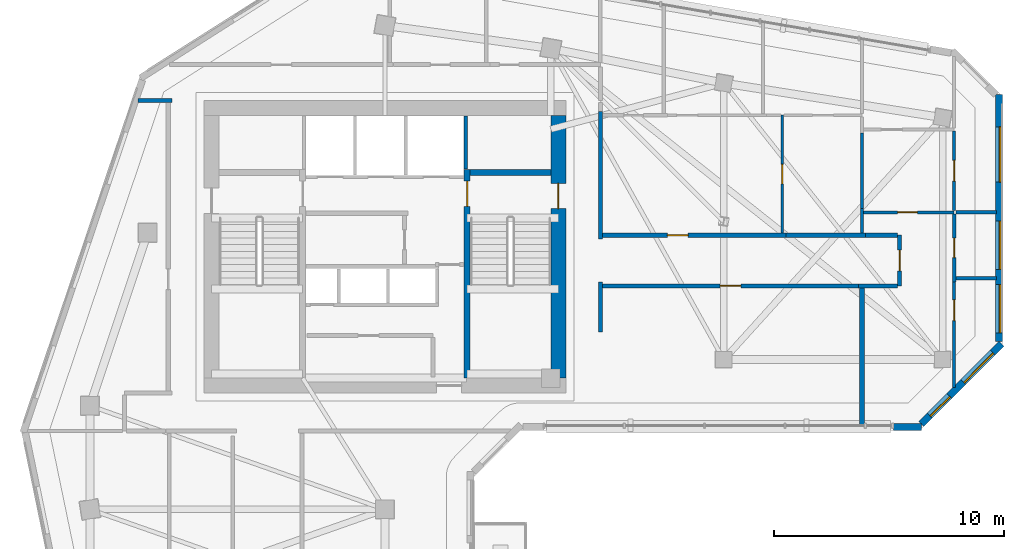
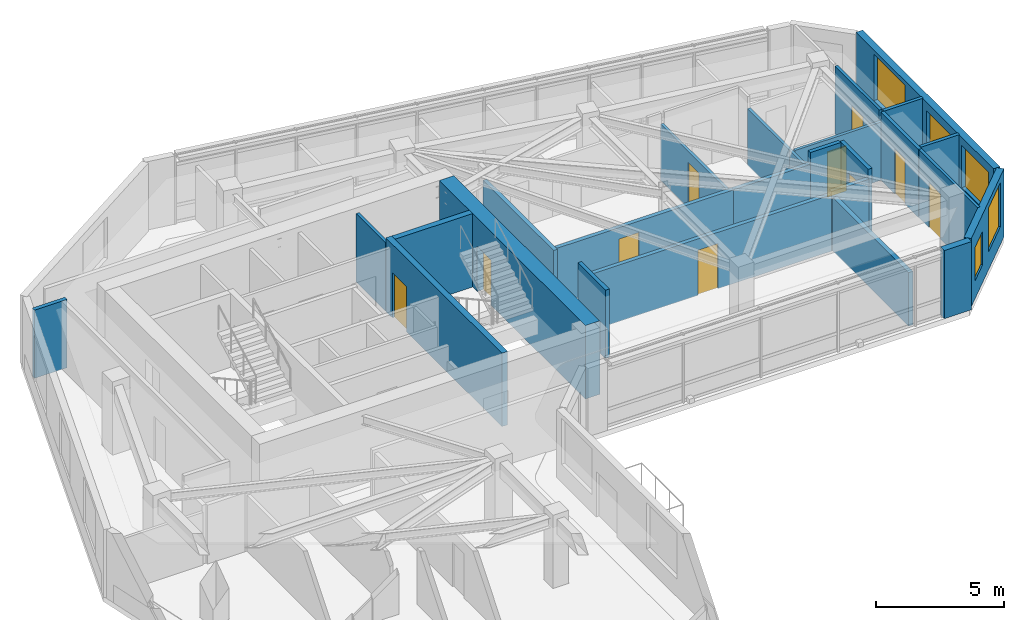
# One storey, part 6 of 10: 26 walls, 10 doors, 5 windows, 15 openings.
"""IFC4 building model written with IfcOpenShell, lengths in metres."""

from ifc_helpers import new_model, si_unit, direction, frame, frame_2d, origin, place, context, subcontext, project, spatial, rectangle, extrude, source, transform, mapped, material, layer, layer_set, type_object, element, fill, save


model = new_model("IFC4")

# Units and contexts
model_context = context("Model", 3, precision=1e-05, world=origin(), true_north=direction((0.0, 1.0)))
body_context = subcontext(model_context, "Body", "Model", "MODEL_VIEW")
ifc_project = project(units=[si_unit("LENGTHUNIT", "METRE"), si_unit("AREAUNIT", "SQUARE_METRE"), si_unit("VOLUMEUNIT", "CUBIC_METRE"), si_unit("PLANEANGLEUNIT", "RADIAN"), si_unit("MASSUNIT", "GRAM", prefix="KILO")], contexts=[model_context])

# Site, building, storey
site_placement = place(None, origin())
site = spatial("IfcSite", under=ifc_project, at=site_placement, CompositionType="ELEMENT")
building_placement = place(site_placement, origin())
building = spatial("IfcBuilding", under=site, at=building_placement, Name="Calvemar Wedge Station Tower", CompositionType="ELEMENT")
storey_placement = place(building_placement, frame((0.0, 0.0, 193.89990234375)))
storey = spatial("IfcBuildingStorey", under=building, at=storey_placement, Name="L48", CompositionType="ELEMENT", Elevation=193.89990234375)

# Wall, opening, door
ifc_material_1 = material(Name="Concrete C50", Category="concrete")
ifc_layer_1 = layer(ifc_material_1, 0.260009765625)
ifc_layer_set_1 = layer_set([ifc_layer_1], Name="Concrete C50")
wall_type_1 = type_object("IfcWallType", Name="SW-CORE-260", PredefinedType="SHEAR", material=ifc_layer_set_1)
wall_1_placement = place(storey_placement, frame((27.3701171875, 34.199951171875, 0.0), z_axis=(0.0, 0.0, 1.0), x_axis=(0.0, 1.0, 0.0)))
wall_1 = element("IfcWall", 1, at=wall_1_placement, inside=storey, type_object=wall_type_1, Name="Storey L48 Core Shear Wall SPINE-E", PredefinedType="SHEAR", context=body_context, shape_type="SweptSolid", body=[
    extrude(rectangle(XDim=9.06005859375, YDim=0.260009765625, at=frame_2d((4.530029296875, 0.0))), origin(), (0.0, 0.0, 1.0), 3.5),
])
shared_shape_1 = source(origin(), body_context, "Body", "SweptSolid", [
    extrude(rectangle(XDim=1.10009765625, YDim=2.14990234375, at=frame_2d((0.550048828125, 1.074951171875))), frame((0.0, 0.14013671875, 0.0), z_axis=(0.0, -1.0, 0.0), x_axis=(1.0, 0.0, 0.0)), (0.0, 0.0, 1.0), 0.280029296875),
])
opening_1_placement = place(wall_1_placement, frame((7.449951171875, 0.0, 0.0)))
opening_1 = element("IfcOpeningElement", 2, at=opening_1_placement, cuts=wall_1, Name="Opening FD-90", PredefinedType="OPENING", context=body_context, shape_type="MappedRepresentation", body=[
    mapped(shared_shape_1, transform((0.0, 0.0, 0.0), scale=1.0)),
])
ifc_material_2 = material(Name="Galvanized fire-rated steel door leaf P-90", Category="steel")
door_type_1 = type_object("IfcDoorType", Name="DR-FD90-1100", OperationType="NOTDEFINED", PredefinedType="DOOR", material=ifc_material_2)
shared_shape_2 = source(origin(), body_context, "Body", "SweptSolid", [
    extrude(rectangle(XDim=1.10009765625, YDim=2.14990234375, at=frame_2d((0.550048828125, 1.074951171875))), frame((0.0, 0.02490234375, 0.0), z_axis=(0.0, -1.0, 0.0), x_axis=(1.0, 0.0, 0.0)), (0.0, 0.0, 1.0), 0.050048828125),
])
door_1_placement = place(opening_1_placement, origin())
door_1 = element("IfcDoor", 3, at=door_1_placement, inside=storey, type_object=door_type_1, Name="L48 FF Lobby to Stair ST-C2 Door", OperationType="SINGLE_SWING_LEFT", OverallHeight=2.14990234375, OverallWidth=1.10009765625, PredefinedType="DOOR", context=body_context, shape_type="MappedRepresentation", body=[
    mapped(shared_shape_2, transform((0.0, 0.0, 0.0), scale=1.0)),
])
fill(opening_1, door_1)

# Wall
wall_2_placement = place(storey_placement, frame((27.5, 43.1298828125, 0.0), z_axis=(0.0, 0.0, 1.0), x_axis=(1.0, 0.0, 0.0)))
element("IfcWall", 4, at=wall_2_placement, inside=storey, type_object=wall_type_1, Name="Storey L48 Core Shear Wall STC2-N", PredefinedType="SHEAR", context=body_context, shape_type="SweptSolid", body=[
    extrude(rectangle(XDim=3.5, YDim=0.260009765625, at=frame_2d((1.75, 0.0))), origin(), (0.0, 0.0, 1.0), 3.5),
])

# Wall, opening, door
ifc_material_3 = material(Name="Concrete C60", Category="concrete")
ifc_layer_2 = layer(ifc_material_3, 0.64990234375)
ifc_layer_set_2 = layer_set([ifc_layer_2], Name="Concrete C60")
wall_type_2 = type_object("IfcWallType", Name="SW-CORE-650", PredefinedType="SHEAR", material=ifc_layer_set_2)
wall_3_placement = place(storey_placement, frame((31.324951171875, 34.199951171875, 0.0), z_axis=(0.0, 0.0, 1.0), x_axis=(0.0, 1.0, 0.0)))
wall_3 = element("IfcWall", 5, at=wall_3_placement, inside=storey, type_object=wall_type_2, Name="Storey L48 Core Shear Wall E", PredefinedType="SHEAR", context=body_context, shape_type="SweptSolid", body=[
    extrude(rectangle(XDim=11.400146484375, YDim=0.64990234375, at=frame_2d((5.7001953125, 0.0))), origin(), (0.0, 0.0, 1.0), 3.5),
])
shared_shape_3 = source(origin(), body_context, "Body", "SweptSolid", [
    extrude(rectangle(XDim=1.10009765625, YDim=2.14990234375, at=frame_2d((0.550048828125, 1.074951171875))), frame((0.0, 0.3349609375, 0.0), z_axis=(0.0, -1.0, 0.0), x_axis=(1.0, 0.0, 0.0)), (0.0, 0.0, 1.0), 0.669921875),
])
opening_2_placement = place(wall_3_placement, frame((7.35009765625, 0.0, 0.0)))
opening_2 = element("IfcOpeningElement", 6, at=opening_2_placement, cuts=wall_3, Name="Opening FD-90", PredefinedType="OPENING", context=body_context, shape_type="MappedRepresentation", body=[
    mapped(shared_shape_3, transform((0.0, 0.0, 0.0), scale=1.0)),
])
door_2_placement = place(opening_2_placement, origin())
door_2 = element("IfcDoor", 7, at=door_2_placement, inside=storey, type_object=door_type_1, Name="L48 East Corridor to Exit Stair ST-C2 Door", OperationType="SINGLE_SWING_LEFT", OverallHeight=2.14990234375, OverallWidth=1.10009765625, PredefinedType="DOOR", context=body_context, shape_type="MappedRepresentation", body=[
    mapped(shared_shape_2, transform((0.0, 0.0, 0.0), scale=1.0)),
])
fill(opening_2, door_2)

# Walls
ifc_material_4 = material(Name="Double-stud fire-rated corridor partition")
ifc_layer_3 = layer(ifc_material_4, 0.179931640625)
ifc_layer_set_3 = layer_set([ifc_layer_3], Name="Double-stud fire-rated corridor partition")
wall_type_3 = type_object("IfcWallType", Name="W-CORR-180", PredefinedType="PARTITIONING", material=ifc_layer_set_3)
wall_4_placement = place(storey_placement, frame((14.56005859375, 46.25, 0.0), z_axis=(0.0, 0.0, 1.0), x_axis=(-1.0, 0.0, 0.0)))
element("IfcWall", 8, at=wall_4_placement, inside=storey, type_object=wall_type_3, Name="Storey L48 Interior Partition WL-L48-012", PredefinedType="PARTITIONING", context=body_context, shape_type="SweptSolid", body=[
    extrude(rectangle(XDim=1.46875, YDim=0.179931640625, at=frame_2d((0.734375, 0.0))), origin(), (0.0, 0.0, 1.0), 3.25),
])
wall_5_placement = place(storey_placement, frame((33.14990234375, 45.76611328125, 0.0), z_axis=(0.0, 0.0, 1.0), x_axis=(0.0, -1.0, 0.0)))
element("IfcWall", 9, at=wall_5_placement, inside=storey, type_object=wall_type_3, Name="Storey L48 Interior Partition WL-L48-017", PredefinedType="PARTITIONING", context=body_context, shape_type="SweptSolid", body=[
    extrude(rectangle(XDim=5.526123046875, YDim=0.179931640625, at=frame_2d((2.76318359375, 0.0))), origin(), (0.0, 0.0, 1.0), 2.68798828125),
])
wall_6_placement = place(storey_placement, frame((33.14990234375, 38.360107421875, 0.0), z_axis=(0.0, 0.0, 1.0), x_axis=(0.0, -1.0, 0.0)))
element("IfcWall", 10, at=wall_6_placement, inside=storey, type_object=wall_type_3, Name="Storey L48 Interior Partition WL-L48-019", PredefinedType="PARTITIONING", context=body_context, shape_type="SweptSolid", body=[
    extrude(rectangle(XDim=2.16015625, YDim=0.179931640625, at=frame_2d((1.080078125, 0.0))), origin(), (0.0, 0.0, 1.0), 3.25),
])

# Wall, opening, door
wall_7_placement = place(storey_placement, frame((33.243896484375, 40.39990234375, 0.0), z_axis=(0.0, 0.0, 1.0), x_axis=(1.0, 0.0, 0.0)))
wall_7 = element("IfcWall", 11, at=wall_7_placement, inside=storey, type_object=wall_type_3, Name="Storey L48 Interior Partition WL-L48-024", PredefinedType="PARTITIONING", context=body_context, shape_type="SweptSolid", body=[
    extrude(rectangle(XDim=7.9580078125, YDim=0.179931640625, at=frame_2d((3.97900390625, 0.0))), origin(), (0.0, 0.0, 1.0), 2.68798828125),
])
shared_shape_4 = source(origin(), body_context, "Body", "SweptSolid", [
    extrude(rectangle(XDim=0.89990234375, YDim=2.14990234375, at=frame_2d((0.449951171875, 1.074951171875))), frame((0.0, 0.10009765625, 0.0), z_axis=(0.0, -1.0, 0.0), x_axis=(1.0, 0.0, 0.0)), (0.0, 0.0, 1.0), 0.199951171875),
])
opening_3_placement = place(wall_7_placement, frame((2.806884765625, 0.0, 0.0)))
opening_3 = element("IfcOpeningElement", 12, at=opening_3_placement, cuts=wall_7, Name="Opening FD-60", PredefinedType="OPENING", context=body_context, shape_type="MappedRepresentation", body=[
    mapped(shared_shape_4, transform((0.0, 0.0, 0.0), scale=1.0)),
])
ifc_material_5 = material(Name="Fire-rated acoustic timber-core entrance door EI 60", Category="wood")
door_type_2 = type_object("IfcDoorType", Name="DR-FD60-900", OperationType="NOTDEFINED", PredefinedType="DOOR", material=ifc_material_5)
shared_shape_5 = source(origin(), body_context, "Body", "SweptSolid", [
    extrude(rectangle(XDim=0.89990234375, YDim=2.14990234375, at=frame_2d((0.449951171875, 1.074951171875))), frame((0.0, 0.02490234375, 0.0), z_axis=(0.0, -1.0, 0.0), x_axis=(1.0, 0.0, 0.0)), (0.0, 0.0, 1.0), 0.050048828125),
])
door_3_placement = place(opening_3_placement, origin())
door_3 = element("IfcDoor", 13, at=door_3_placement, inside=storey, type_object=door_type_2, Name="L48 Living Dining Door", OperationType="SINGLE_SWING_RIGHT", OverallHeight=2.14990234375, OverallWidth=0.89990234375, PredefinedType="DOOR", context=body_context, shape_type="MappedRepresentation", body=[
    mapped(shared_shape_5, transform((0.0, 0.0, 0.0), scale=1.0)),
])
fill(opening_3, door_3)

# Wall
wall_8_placement = place(storey_placement, frame((41.2041015625, 40.39990234375, 0.0), z_axis=(0.0, 0.0, 1.0), x_axis=(1.0, 0.0, 0.0)))
element("IfcWall", 14, at=wall_8_placement, inside=storey, type_object=wall_type_3, Name="Storey L48 Interior Partition WL-L48-025", PredefinedType="PARTITIONING", context=body_context, shape_type="SweptSolid", body=[
    extrude(rectangle(XDim=3.455810546875, YDim=0.179931640625, at=frame_2d((1.72802734375, 0.0))), origin(), (0.0, 0.0, 1.0), 2.68798828125),
])

# Wall, opening, door
wall_9_placement = place(storey_placement, frame((46.135009765625, 40.39990234375, 0.0), z_axis=(0.0, 0.0, 1.0), x_axis=(0.0, -1.0, 0.0)))
wall_9 = element("IfcWall", 15, at=wall_9_placement, inside=storey, type_object=wall_type_3, Name="Storey L48 Interior Partition WL-L48-026", PredefinedType="PARTITIONING", context=body_context, shape_type="SweptSolid", body=[
    extrude(rectangle(XDim=2.199951171875, YDim=0.179931640625, at=frame_2d((1.10009765625, 0.0))), origin(), (0.0, 0.0, 1.0), 3.25),
])
opening_4_placement = place(wall_9_placement, frame((0.64990234375, 0.0, 0.0)))
opening_4 = element("IfcOpeningElement", 16, at=opening_4_placement, cuts=wall_9, Name="Opening FD-60", PredefinedType="OPENING", context=body_context, shape_type="MappedRepresentation", body=[
    mapped(shared_shape_4, transform((0.0, 0.0, 0.0), scale=1.0)),
])
door_4_placement = place(opening_4_placement, origin())
door_4 = element("IfcDoor", 17, at=door_4_placement, inside=storey, type_object=door_type_2, Name="L48 Living Dining Door", OperationType="SINGLE_SWING_RIGHT", OverallHeight=2.14990234375, OverallWidth=0.89990234375, PredefinedType="DOOR", context=body_context, shape_type="MappedRepresentation", body=[
    mapped(shared_shape_5, transform((0.0, 0.0, 0.0), scale=1.0)),
])
fill(opening_4, door_4)

# Walls
wall_10_placement = place(storey_placement, frame((44.662109375, 40.39990234375, 0.0), z_axis=(0.0, 0.0, 1.0), x_axis=(1.0, 0.0, 0.0)))
element("IfcWall", 18, at=wall_10_placement, inside=storey, type_object=wall_type_3, Name="Storey L48 Interior Partition WL-L48-027", PredefinedType="PARTITIONING", context=body_context, shape_type="SweptSolid", body=[
    extrude(rectangle(XDim=1.37890625, YDim=0.179931640625, at=frame_2d((0.689453125, 0.0))), origin(), (0.0, 0.0, 1.0), 3.25),
])
wall_11_placement = place(storey_placement, frame((46.041015625, 38.199951171875, 0.0), z_axis=(0.0, 0.0, 1.0), x_axis=(-1.0, 0.0, 0.0)))
element("IfcWall", 19, at=wall_11_placement, inside=storey, type_object=wall_type_3, Name="Storey L48 Interior Partition WL-L48-028", PredefinedType="PARTITIONING", context=body_context, shape_type="SweptSolid", body=[
    extrude(rectangle(XDim=1.700927734375, YDim=0.179931640625, at=frame_2d((0.8505859375, 0.0))), origin(), (0.0, 0.0, 1.0), 2.835205078125),
])

# Wall, opening, door
wall_12_placement = place(storey_placement, frame((44.337890625, 38.199951171875, 0.0), z_axis=(0.0, 0.0, 1.0), x_axis=(-1.0, 0.0, 0.0)))
wall_12 = element("IfcWall", 20, at=wall_12_placement, inside=storey, type_object=wall_type_3, Name="Storey L48 Interior Partition WL-L48-029", PredefinedType="PARTITIONING", context=body_context, shape_type="SweptSolid", body=[
    extrude(rectangle(XDim=11.093994140625, YDim=0.179931640625, at=frame_2d((5.546875, 0.0))), origin(), (0.0, 0.0, 1.0), 2.68798828125),
])
opening_5_placement = place(wall_12_placement, frame((5.096923828125, 0.0, 0.0)))
opening_5 = element("IfcOpeningElement", 21, at=opening_5_placement, cuts=wall_12, Name="Opening D-01", PredefinedType="OPENING", context=body_context, shape_type="MappedRepresentation", body=[
    mapped(shared_shape_4, transform((0.0, 0.0, 0.0), scale=1.0)),
])
ifc_material_6 = material(Name="Architectural hardwood acoustic swing door", Category="wood")
door_type_3 = type_object("IfcDoorType", Name="DR-INT-900", OperationType="NOTDEFINED", PredefinedType="DOOR", material=ifc_material_6)
shared_shape_6 = source(origin(), body_context, "Body", "SweptSolid", [
    extrude(rectangle(XDim=0.89990234375, YDim=2.14990234375, at=frame_2d((0.449951171875, 1.074951171875))), frame((0.0, 0.02490234375, 0.0), z_axis=(0.0, -1.0, 0.0), x_axis=(1.0, 0.0, 0.0)), (0.0, 0.0, 1.0), 0.050048828125),
])
door_5_placement = place(opening_5_placement, origin())
door_5 = element("IfcDoor", 22, at=door_5_placement, inside=storey, type_object=door_type_3, Name="L48 Meeting Room Door", OperationType="SINGLE_SWING_LEFT", OverallHeight=2.14990234375, OverallWidth=0.89990234375, PredefinedType="DOOR", context=body_context, shape_type="MappedRepresentation", body=[
    mapped(shared_shape_6, transform((0.0, 0.0, 0.0), scale=1.0)),
])
fill(opening_5, door_5)

# Walls
ifc_material_7 = material(Name="Twin-stud fire-rated inter-tenancy wall")
ifc_layer_4 = layer(ifc_material_7, 0.199951171875)
ifc_layer_set_4 = layer_set([ifc_layer_4], Name="Twin-stud fire-rated inter-tenancy wall")
wall_type_4 = type_object("IfcWallType", Name="W-DEMISE-200", PredefinedType="PARTITIONING", material=ifc_layer_set_4)
wall_13_placement = place(storey_placement, frame((44.5, 32.18896484375, 0.0), z_axis=(0.0, 0.0, 1.0), x_axis=(0.0, 1.0, 0.0)))
element("IfcWall", 23, at=wall_13_placement, inside=storey, type_object=wall_type_4, Name="Storey L48 Interior Partition WL-L48-046", PredefinedType="PARTITIONING", context=body_context, shape_type="SweptSolid", body=[
    extrude(rectangle(XDim=5.9169921875, YDim=0.199951171875, at=frame_2d((2.95849609375, 0.0))), origin(), (0.0, 0.0, 1.0), 2.5419921875),
])
ifc_material_8 = material(Name="Precast concrete C45", Category="concrete")
ifc_layer_5 = layer(ifc_material_8, 0.300048828125)
ifc_layer_set_5 = layer_set([ifc_layer_5], Name="Precast concrete C45")
wall_type_5 = type_object("IfcWallType", Name="W-EXT-GFRC-300", PredefinedType="SOLIDWALL", material=ifc_layer_set_5)
wall_14_placement = place(storey_placement, frame((45.8603515625, 32.073974609375, 0.0), z_axis=(0.0, 0.0, 1.0), x_axis=(1.0, 0.0, 0.0)))
element("IfcWall", 24, at=wall_14_placement, inside=storey, type_object=wall_type_5, Name="Storey L48 Bronze GFRC Corner Pier 6B", PredefinedType="SOLIDWALL", context=body_context, shape_type="SweptSolid", body=[
    extrude(rectangle(XDim=1.2275390625, YDim=0.300048828125, at=frame_2d((0.61376953125, 0.0))), origin(), (0.0, 0.0, 1.0), 3.25),
])

# Wall, openings, windows
wall_15_placement = place(storey_placement, frame((47.075927734375, 32.2119140625, 0.0), z_axis=(0.0, 0.0, 1.0), x_axis=(0.707106781187, 0.707106781187, 0.0)))
wall_15 = element("IfcWall", 25, at=wall_15_placement, inside=storey, type_object=wall_type_5, Name="Storey L48 Bronze GFRC Exterior Wall 7", PredefinedType="SOLIDWALL", context=body_context, shape_type="SweptSolid", body=[
    extrude(rectangle(XDim=4.921875, YDim=0.300048828125, at=frame_2d((2.4609375, 0.0))), origin(), (0.0, 0.0, 1.0), 3.25),
])
shared_shape_7 = source(origin(), body_context, "Body", "SweptSolid", [
    extrude(rectangle(XDim=1.199951171875, YDim=1.60009765625, at=frame_2d((0.60009765625, 0.800048828125))), frame((0.0, 0.16015625, 0.0), z_axis=(0.0, -1.0, 0.0), x_axis=(1.0, 0.0, 0.0)), (0.0, 0.0, 1.0), 0.320068359375),
])
opening_6_placement = place(wall_15_placement, frame((0.514892578125, 0.0, 0.85009765625)))
opening_6 = element("IfcOpeningElement", 26, at=opening_6_placement, cuts=wall_15, Name="Opening W5", PredefinedType="OPENING", context=body_context, shape_type="MappedRepresentation", body=[
    mapped(shared_shape_7, transform((0.0, 0.0, 0.0), scale=1.0)),
])
shared_shape_8 = source(origin(), body_context, "Body", "SweptSolid", [
    extrude(rectangle(XDim=1.800048828125, YDim=2.10009765625, at=frame_2d((0.89990234375, 1.050048828125))), frame((0.0, 0.16015625, 0.0), z_axis=(0.0, -1.0, 0.0), x_axis=(1.0, 0.0, 0.0)), (0.0, 0.0, 1.0), 0.320068359375),
])
opening_7_placement = place(wall_15_placement, frame((2.574951171875, 0.0, 0.85009765625)))
opening_7 = element("IfcOpeningElement", 27, at=opening_7_placement, cuts=wall_15, Name="Opening W2", PredefinedType="OPENING", context=body_context, shape_type="MappedRepresentation", body=[
    mapped(shared_shape_8, transform((0.0, 0.0, 0.0), scale=1.0)),
])
ifc_material_9 = material(Name="Low-E laminated insulated glass", Category="glass")
window_type_1 = type_object("IfcWindowType", Name="WIN-EXT-2", PartitioningType="SINGLE_PANEL", PredefinedType="WINDOW", material=ifc_material_9)
shared_shape_9 = source(origin(), body_context, "Body", "SweptSolid", [
    extrude(rectangle(XDim=1.800048828125, YDim=2.10009765625, at=frame_2d((0.89990234375, 1.050048828125))), frame((0.0, -0.014892578125, 0.0), z_axis=(0.0, -1.0, 0.0), x_axis=(1.0, 0.0, 0.0)), (0.0, 0.0, 1.0), 0.06005859375),
])
window_1_placement = place(opening_7_placement, origin())
window_1 = element("IfcWindow", 28, at=window_1_placement, inside=storey, type_object=window_type_1, Name="Storey L48 Recessed Window 7.2", OverallHeight=2.10009765625, OverallWidth=1.800048828125, PartitioningType="SINGLE_PANEL", PredefinedType="WINDOW", context=body_context, shape_type="MappedRepresentation", body=[
    mapped(shared_shape_9, transform((0.0, 0.0, 0.0), scale=1.0)),
])
fill(opening_7, window_1)
window_type_2 = type_object("IfcWindowType", Name="WIN-EXT-5", PartitioningType="SINGLE_PANEL", PredefinedType="WINDOW", material=ifc_material_9)
shared_shape_10 = source(origin(), body_context, "Body", "SweptSolid", [
    extrude(rectangle(XDim=1.199951171875, YDim=1.60009765625, at=frame_2d((0.60009765625, 0.800048828125))), frame((0.0, -0.014892578125, 0.0), z_axis=(0.0, -1.0, 0.0), x_axis=(1.0, 0.0, 0.0)), (0.0, 0.0, 1.0), 0.06005859375),
])
window_2_placement = place(opening_6_placement, origin())
window_2 = element("IfcWindow", 29, at=window_2_placement, inside=storey, type_object=window_type_2, Name="Storey L48 Recessed Window 7.1", OverallHeight=1.60009765625, OverallWidth=1.199951171875, PartitioningType="SINGLE_PANEL", PredefinedType="WINDOW", context=body_context, shape_type="MappedRepresentation", body=[
    mapped(shared_shape_10, transform((0.0, 0.0, 0.0), scale=1.0)),
])
fill(opening_6, window_2)

wall_16_placement = place(storey_placement, frame((50.449951171875, 35.78125, 0.0), z_axis=(0.0, 0.0, 1.0), x_axis=(0.0, 1.0, 0.0)))
wall_16 = element("IfcWall", 30, at=wall_16_placement, inside=storey, type_object=wall_type_5, Name="Storey L48 Bronze GFRC Exterior Wall 8", PredefinedType="SOLIDWALL", context=body_context, shape_type="SweptSolid", body=[
    extrude(rectangle(XDim=10.730712890625, YDim=0.300048828125, at=frame_2d((5.365234375, 0.0))), origin(), (0.0, 0.0, 1.0), 3.25),
])
shared_shape_11 = source(origin(), body_context, "Body", "SweptSolid", [
    extrude(rectangle(XDim=2.10009765625, YDim=2.0, at=frame_2d((1.050048828125, 1.0))), frame((0.0, 0.16015625, 0.0), z_axis=(0.0, -1.0, 0.0), x_axis=(1.0, 0.0, 0.0)), (0.0, 0.0, 1.0), 0.320068359375),
])
opening_8_placement = place(wall_16_placement, frame((0.37890625, 0.0, 0.85009765625)))
opening_8 = element("IfcOpeningElement", 31, at=opening_8_placement, cuts=wall_16, Name="Opening W4", PredefinedType="OPENING", context=body_context, shape_type="MappedRepresentation", body=[
    mapped(shared_shape_11, transform((0.0, 0.0, 0.0), scale=1.0)),
])
opening_9_placement = place(wall_16_placement, frame((3.133056640625, 0.0, 0.85009765625)))
opening_9 = element("IfcOpeningElement", 32, at=opening_9_placement, cuts=wall_16, Name="Opening W4", PredefinedType="OPENING", context=body_context, shape_type="MappedRepresentation", body=[
    mapped(shared_shape_11, transform((0.0, 0.0, 0.0), scale=1.0)),
])
shared_shape_12 = source(origin(), body_context, "Body", "SweptSolid", [
    extrude(rectangle(XDim=2.39990234375, YDim=2.199951171875, at=frame_2d((1.199951171875, 1.10009765625))), frame((0.0, 0.16015625, 0.0), z_axis=(0.0, -1.0, 0.0), x_axis=(1.0, 0.0, 0.0)), (0.0, 0.0, 1.0), 0.320068359375),
])
opening_10_placement = place(wall_16_placement, frame((6.9189453125, 0.0, 0.85009765625)))
opening_10 = element("IfcOpeningElement", 33, at=opening_10_placement, cuts=wall_16, Name="Opening W1", PredefinedType="OPENING", context=body_context, shape_type="MappedRepresentation", body=[
    mapped(shared_shape_12, transform((0.0, 0.0, 0.0), scale=1.0)),
])
window_type_3 = type_object("IfcWindowType", Name="WIN-EXT-4", PartitioningType="SINGLE_PANEL", PredefinedType="WINDOW", material=ifc_material_9)
shared_shape_13 = source(origin(), body_context, "Body", "SweptSolid", [
    extrude(rectangle(XDim=2.10009765625, YDim=2.0, at=frame_2d((1.050048828125, 1.0))), frame((0.0, -0.014892578125, 0.0), z_axis=(0.0, -1.0, 0.0), x_axis=(1.0, 0.0, 0.0)), (0.0, 0.0, 1.0), 0.06005859375),
])
window_3_placement = place(opening_8_placement, origin())
window_3 = element("IfcWindow", 34, at=window_3_placement, inside=storey, type_object=window_type_3, Name="Storey L48 Recessed Window 8.1", OverallHeight=2.0, OverallWidth=2.10009765625, PartitioningType="SINGLE_PANEL", PredefinedType="WINDOW", context=body_context, shape_type="MappedRepresentation", body=[
    mapped(shared_shape_13, transform((0.0, 0.0, 0.0), scale=1.0)),
])
fill(opening_8, window_3)
window_4_placement = place(opening_9_placement, origin())
window_4 = element("IfcWindow", 35, at=window_4_placement, inside=storey, type_object=window_type_3, Name="Storey L48 Recessed Window 8.2", OverallHeight=2.0, OverallWidth=2.10009765625, PartitioningType="SINGLE_PANEL", PredefinedType="WINDOW", context=body_context, shape_type="MappedRepresentation", body=[
    mapped(shared_shape_13, transform((0.0, 0.0, 0.0), scale=1.0)),
])
fill(opening_9, window_4)
window_type_4 = type_object("IfcWindowType", Name="WIN-EXT-1", PartitioningType="SINGLE_PANEL", PredefinedType="WINDOW", material=ifc_material_9)
shared_shape_14 = source(origin(), body_context, "Body", "SweptSolid", [
    extrude(rectangle(XDim=2.39990234375, YDim=2.199951171875, at=frame_2d((1.199951171875, 1.10009765625))), frame((0.0, -0.014892578125, 0.0), z_axis=(0.0, -1.0, 0.0), x_axis=(1.0, 0.0, 0.0)), (0.0, 0.0, 1.0), 0.06005859375),
])
window_5_placement = place(opening_10_placement, origin())
window_5 = element("IfcWindow", 36, at=window_5_placement, inside=storey, type_object=window_type_4, Name="Storey L48 Recessed Window 8.3", OverallHeight=2.199951171875, OverallWidth=2.39990234375, PartitioningType="SINGLE_PANEL", PredefinedType="WINDOW", context=body_context, shape_type="MappedRepresentation", body=[
    mapped(shared_shape_14, transform((0.0, 0.0, 0.0), scale=1.0)),
])
fill(opening_10, window_5)

# Wall
ifc_material_10 = material(Name="Reinforced concrete blockwork lift shaft wall", Category="masonry")
ifc_layer_6 = layer(ifc_material_10, 0.139892578125)
ifc_layer_set_6 = layer_set([ifc_layer_6], Name="Reinforced concrete blockwork lift shaft wall")
wall_type_6 = type_object("IfcWallType", Name="W-LIFT-160", PredefinedType="SOLIDWALL", material=ifc_layer_set_6)
wall_17_placement = place(storey_placement, frame((27.31005859375, 43.280029296875, 0.0), z_axis=(0.0, 0.0, 1.0), x_axis=(0.0, 1.0, 0.0)))
element("IfcWall", 37, at=wall_17_placement, inside=storey, type_object=wall_type_6, Name="Storey L48 Firefighting Lift Shaft Enclosure Wall E", PredefinedType="SOLIDWALL", context=body_context, shape_type="SweptSolid", body=[
    extrude(rectangle(XDim=2.300048828125, YDim=0.139892578125, at=frame_2d((1.14990234375, 0.0))), origin(), (0.0, 0.0, 1.0), 3.25),
])

# Wall, opening, door
ifc_material_11 = material(Name="Insulated acoustic gypsum stud partition")
ifc_layer_7 = layer(ifc_material_11, 0.125)
ifc_layer_set_7 = layer_set([ifc_layer_7], Name="Insulated acoustic gypsum stud partition")
wall_type_7 = type_object("IfcWallType", Name="W-PART-125", PredefinedType="PARTITIONING", material=ifc_layer_set_7)
wall_18_placement = place(storey_placement, frame((41.0419921875, 45.60595703125, 0.0), z_axis=(0.0, 0.0, 1.0), x_axis=(0.0, -1.0, 0.0)))
wall_18 = element("IfcWall", 38, at=wall_18_placement, inside=storey, type_object=wall_type_7, Name="Storey L48 Interior Partition WL-L48-030", PredefinedType="PARTITIONING", context=body_context, shape_type="SweptSolid", body=[
    extrude(rectangle(XDim=5.112060546875, YDim=0.125, at=frame_2d((2.55615234375, 0.0))), origin(), (0.0, 0.0, 1.0), 2.68798828125),
])
shared_shape_15 = source(origin(), body_context, "Body", "SweptSolid", [
    extrude(rectangle(XDim=0.85009765625, YDim=2.14990234375, at=frame_2d((0.425048828125, 1.074951171875))), frame((0.0, 0.072509765625, 0.0), z_axis=(0.0, -1.0, 0.0), x_axis=(1.0, 0.0, 0.0)), (0.0, 0.0, 1.0), 0.14501953125),
])
opening_11_placement = place(wall_18_placement, frame((2.131103515625, 0.0, 0.0)))
opening_11 = element("IfcOpeningElement", 39, at=opening_11_placement, cuts=wall_18, Name="Opening D-02", PredefinedType="OPENING", context=body_context, shape_type="MappedRepresentation", body=[
    mapped(shared_shape_15, transform((0.0, 0.0, 0.0), scale=1.0)),
])
ifc_material_12 = material(Name="Moisture-sealed bathroom hardwood swing door", Category="wood")
door_type_4 = type_object("IfcDoorType", Name="DR-WET-850", OperationType="NOTDEFINED", PredefinedType="DOOR", material=ifc_material_12)
shared_shape_16 = source(origin(), body_context, "Body", "SweptSolid", [
    extrude(rectangle(XDim=0.85009765625, YDim=2.14990234375, at=frame_2d((0.425048828125, 1.074951171875))), frame((0.0, 0.02490234375, 0.0), z_axis=(0.0, -1.0, 0.0), x_axis=(1.0, 0.0, 0.0)), (0.0, 0.0, 1.0), 0.050048828125),
])
door_6_placement = place(opening_11_placement, origin())
door_6 = element("IfcDoor", 40, at=door_6_placement, inside=storey, type_object=door_type_4, Name="L48 Kitchen Door", OperationType="SINGLE_SWING_LEFT", OverallHeight=2.14990234375, OverallWidth=0.85009765625, PredefinedType="DOOR", context=body_context, shape_type="MappedRepresentation", body=[
    mapped(shared_shape_16, transform((0.0, 0.0, 0.0), scale=1.0)),
])
fill(opening_11, door_6)

# Walls
wall_19_placement = place(storey_placement, frame((44.5, 41.549072265625, 0.0), z_axis=(0.0, 0.0, 1.0), x_axis=(0.0, -1.0, 0.0)))
element("IfcWall", 41, at=wall_19_placement, inside=storey, type_object=wall_type_7, Name="Storey L48 Interior Partition WL-L48-036", PredefinedType="PARTITIONING", context=body_context, shape_type="SweptSolid", body=[
    extrude(rectangle(XDim=1.05517578125, YDim=0.125, at=frame_2d((0.527587890625, 0.0))), origin(), (0.0, 0.0, 1.0), 2.68798828125),
])
wall_20_placement = place(storey_placement, frame((44.5, 44.826904296875, 0.0), z_axis=(0.0, 0.0, 1.0), x_axis=(0.0, -1.0, 0.0)))
element("IfcWall", 42, at=wall_20_placement, inside=storey, type_object=wall_type_7, Name="Storey L48 Interior Partition WL-L48-037", PredefinedType="PARTITIONING", context=body_context, shape_type="SweptSolid", body=[
    extrude(rectangle(XDim=3.27587890625, YDim=0.125, at=frame_2d((1.637939453125, 0.0))), origin(), (0.0, 0.0, 1.0), 2.68798828125),
])

# Wall, opening, door
wall_21_placement = place(storey_placement, frame((44.56640625, 41.388916015625, 0.0), z_axis=(0.0, 0.0, 1.0), x_axis=(1.0, 0.0, 0.0)))
wall_21 = element("IfcWall", 43, at=wall_21_placement, inside=storey, type_object=wall_type_7, Name="Storey L48 Interior Partition WL-L48-043", PredefinedType="PARTITIONING", context=body_context, shape_type="SweptSolid", body=[
    extrude(rectangle(XDim=3.93359375, YDim=0.125, at=frame_2d((1.966796875, 0.0))), origin(), (0.0, 0.0, 1.0), 2.76611328125),
])
opening_12_placement = place(wall_21_placement, frame((1.481689453125, 0.0, 0.0)))
opening_12 = element("IfcOpeningElement", 44, at=opening_12_placement, cuts=wall_21, Name="Opening D-02", PredefinedType="OPENING", context=body_context, shape_type="MappedRepresentation", body=[
    mapped(shared_shape_15, transform((0.0, 0.0, 0.0), scale=1.0)),
])
door_7_placement = place(opening_12_placement, origin())
door_7 = element("IfcDoor", 45, at=door_7_placement, inside=storey, type_object=door_type_4, Name="L48 Kitchen Door", OperationType="SINGLE_SWING_LEFT", OverallHeight=2.14990234375, OverallWidth=0.85009765625, PredefinedType="DOOR", context=body_context, shape_type="MappedRepresentation", body=[
    mapped(shared_shape_16, transform((0.0, 0.0, 0.0), scale=1.0)),
])
fill(opening_12, door_7)

wall_22_placement = place(storey_placement, frame((48.5, 38.376953125, 0.0), z_axis=(0.0, 0.0, 1.0), x_axis=(0.0, -1.0, 0.0)))
wall_22 = element("IfcWall", 46, at=wall_22_placement, inside=storey, type_object=wall_type_7, Name="Storey L48 Interior Partition WL-L48-045", PredefinedType="PARTITIONING", context=body_context, shape_type="SweptSolid", body=[
    extrude(rectangle(XDim=4.578125, YDim=0.125, at=frame_2d((2.2890625, 0.0))), origin(), (0.0, 0.0, 1.0), 3.25),
])
shared_shape_17 = source(origin(), body_context, "Body", "SweptSolid", [
    extrude(rectangle(XDim=0.89990234375, YDim=2.14990234375, at=frame_2d((0.449951171875, 1.074951171875))), frame((0.0, 0.072509765625, 0.0), z_axis=(0.0, -1.0, 0.0), x_axis=(1.0, 0.0, 0.0)), (0.0, 0.0, 1.0), 0.14501953125),
])
opening_13_placement = place(wall_22_placement, frame((0.77880859375, 0.0, 0.0)))
opening_13 = element("IfcOpeningElement", 47, at=opening_13_placement, cuts=wall_22, Name="Opening D-01", PredefinedType="OPENING", context=body_context, shape_type="MappedRepresentation", body=[
    mapped(shared_shape_17, transform((0.0, 0.0, 0.0), scale=1.0)),
])
door_8_placement = place(opening_13_placement, origin())
door_8 = element("IfcDoor", 48, at=door_8_placement, inside=storey, type_object=door_type_3, Name="L48 Master Bedroom Door", OperationType="SINGLE_SWING_RIGHT", OverallHeight=2.14990234375, OverallWidth=0.89990234375, PredefinedType="DOOR", context=body_context, shape_type="MappedRepresentation", body=[
    mapped(shared_shape_6, transform((0.0, 0.0, 0.0), scale=1.0)),
])
fill(opening_13, door_8)

wall_23_placement = place(storey_placement, frame((48.5, 44.922607421875, 0.0), z_axis=(0.0, 0.0, 1.0), x_axis=(0.0, -1.0, 0.0)))
wall_23 = element("IfcWall", 49, at=wall_23_placement, inside=storey, type_object=wall_type_7, Name="Storey L48 Interior Partition WL-L48-047", PredefinedType="PARTITIONING", context=body_context, shape_type="SweptSolid", body=[
    extrude(rectangle(XDim=3.45458984375, YDim=0.125, at=frame_2d((1.727294921875, 0.0))), origin(), (0.0, 0.0, 1.0), 3.25),
])
opening_14_placement = place(wall_23_placement, frame((1.277099609375, 0.0, 0.0)))
opening_14 = element("IfcOpeningElement", 50, at=opening_14_placement, cuts=wall_23, Name="Opening D-01", PredefinedType="OPENING", context=body_context, shape_type="MappedRepresentation", body=[
    mapped(shared_shape_17, transform((0.0, 0.0, 0.0), scale=1.0)),
])
door_9_placement = place(opening_14_placement, origin())
door_9 = element("IfcDoor", 51, at=door_9_placement, inside=storey, type_object=door_type_3, Name="L48 Bedroom Door", OperationType="SINGLE_SWING_LEFT", OverallHeight=2.14990234375, OverallWidth=0.89990234375, PredefinedType="DOOR", context=body_context, shape_type="MappedRepresentation", body=[
    mapped(shared_shape_6, transform((0.0, 0.0, 0.0), scale=1.0)),
])
fill(opening_14, door_9)

ifc_material_13 = material(Name="Moisture-resistant acoustic bathroom partition")
ifc_layer_8 = layer(ifc_material_13, 0.14990234375)
ifc_layer_set_8 = layer_set([ifc_layer_8], Name="Moisture-resistant acoustic bathroom partition")
wall_type_8 = type_object("IfcWallType", Name="W-WET-150", PredefinedType="PARTITIONING", material=ifc_layer_set_8)
wall_24_placement = place(storey_placement, frame((48.5, 41.322509765625, 0.0), z_axis=(0.0, 0.0, 1.0), x_axis=(0.0, -1.0, 0.0)))
wall_24 = element("IfcWall", 52, at=wall_24_placement, inside=storey, type_object=wall_type_8, Name="Storey L48 Interior Partition WL-L48-044", PredefinedType="PARTITIONING", context=body_context, shape_type="SweptSolid", body=[
    extrude(rectangle(XDim=2.943603515625, YDim=0.14990234375, at=frame_2d((1.4716796875, 0.0))), origin(), (0.0, 0.0, 1.0), 3.25),
])
shared_shape_18 = source(origin(), body_context, "Body", "SweptSolid", [
    extrude(rectangle(XDim=0.85009765625, YDim=2.14990234375, at=frame_2d((0.425048828125, 1.074951171875))), frame((0.0, 0.0849609375, 0.0), z_axis=(0.0, -1.0, 0.0), x_axis=(1.0, 0.0, 0.0)), (0.0, 0.0, 1.0), 0.169921875),
])
opening_15_placement = place(wall_24_placement, frame((1.046875, 0.0, 0.0)))
opening_15 = element("IfcOpeningElement", 53, at=opening_15_placement, cuts=wall_24, Name="Opening D-02", PredefinedType="OPENING", context=body_context, shape_type="MappedRepresentation", body=[
    mapped(shared_shape_18, transform((0.0, 0.0, 0.0), scale=1.0)),
])
door_10_placement = place(opening_15_placement, origin())
door_10 = element("IfcDoor", 54, at=door_10_placement, inside=storey, type_object=door_type_4, Name="L48 Bathroom Door", OperationType="SINGLE_SWING_RIGHT", OverallHeight=2.14990234375, OverallWidth=0.85009765625, PredefinedType="DOOR", context=body_context, shape_type="MappedRepresentation", body=[
    mapped(shared_shape_16, transform((0.0, 0.0, 0.0), scale=1.0)),
])
fill(opening_15, door_10)

# Walls
for number, where, z_axis, x_axis, name in (
    (55, (48.5791015625, 41.388916015625, 0.0), (0.0, 0.0, 1.0), (1.0, 0.0, 0.0), "Storey L48 Interior Partition WL-L48-048"),
    (56, (50.3349609375, 38.5390625, 0.0), (0.0, 0.0, 1.0), (-1.0, 0.0, 0.0), "Storey L48 Interior Partition WL-L48-049"),
):
    element("IfcWall", number, at=place(storey_placement, frame(where, z_axis=z_axis, x_axis=x_axis)), inside=storey, type_object=wall_type_8, Name=name, PredefinedType="PARTITIONING", context=body_context, shape_type="SweptSolid", body=[
        extrude(rectangle(XDim=1.755859375, YDim=0.14990234375, at=frame_2d((0.8779296875, 0.0))), origin(), (0.0, 0.0, 1.0), 3.25),
    ])

save(model, "model.ifc")
